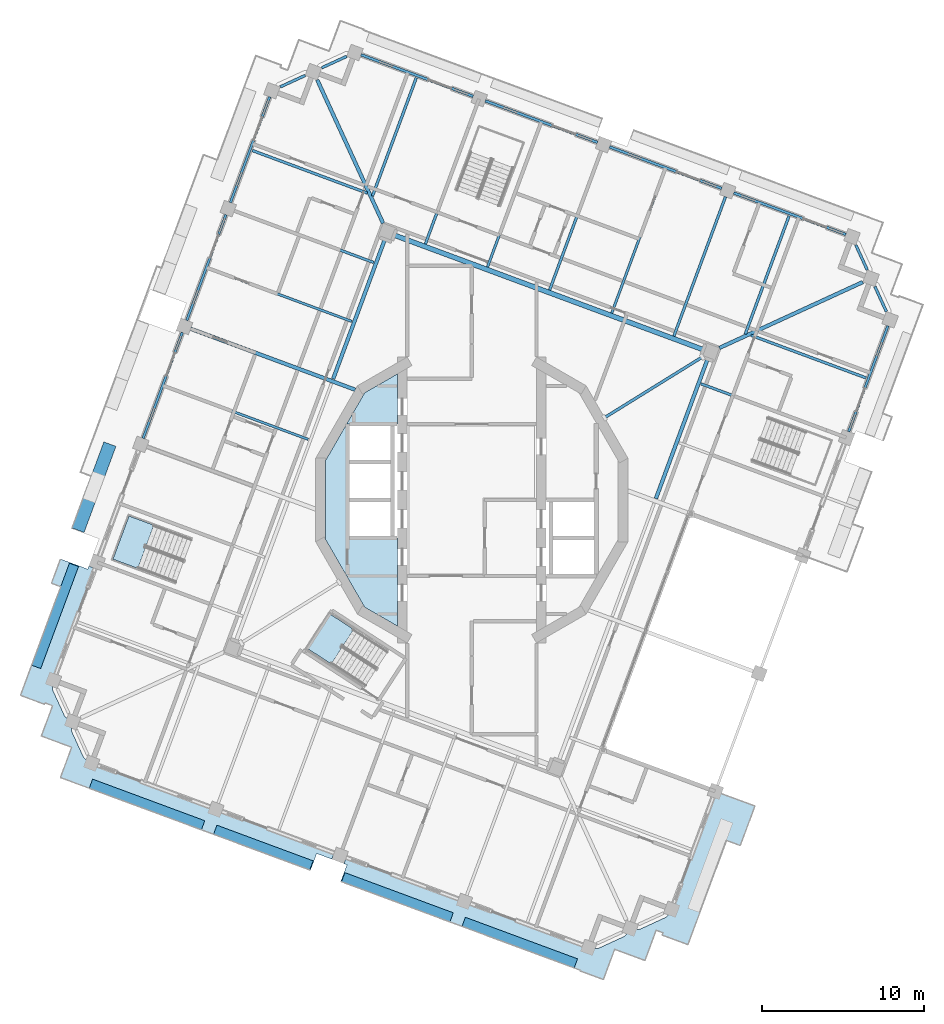
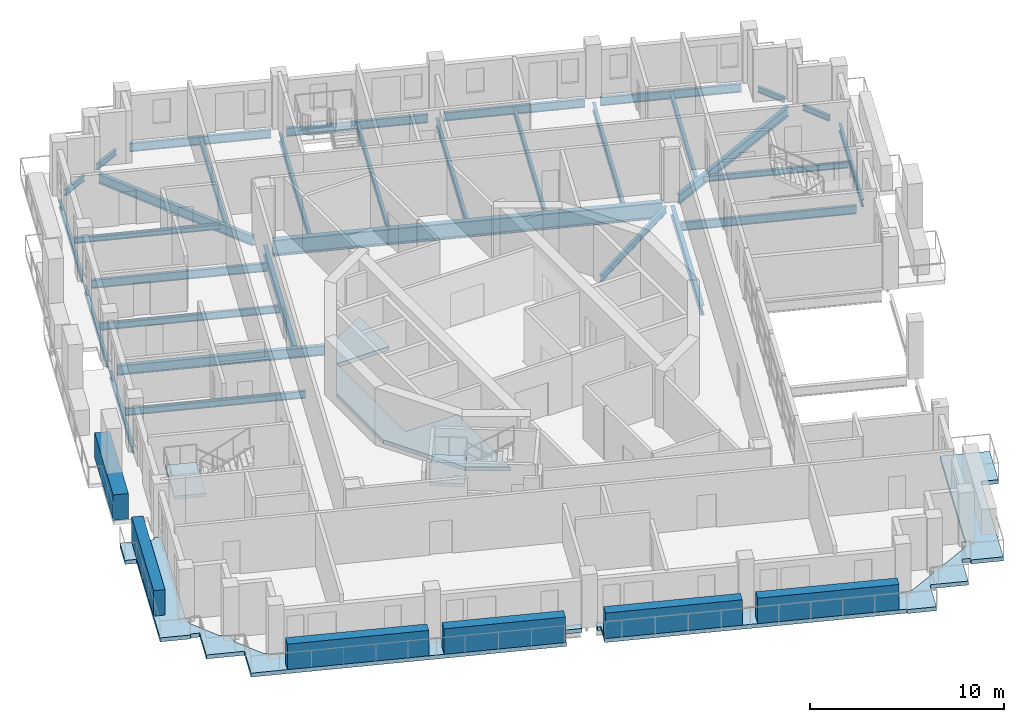
# One storey, part 3 of 19: 32 beams, 6 plates, 5 slabs, 2 elements without a shape of their own.
"""IFC4 building model written with IfcOpenShell, lengths in metres."""

from ifc_helpers import new_model, si_unit, direction, frame, origin, origin_2d, place, context, subcontext, project, spatial, polyline, rectangle, i_section, outline, extrude, material, layer, layer_set, material_profile, profile_set, type_object, element, aggregate, save


model = new_model("IFC4")

# Units and contexts
model_context = context("Model", 3, precision=1e-05, world=origin(), true_north=direction((0.0, 1.0)))
body_context = subcontext(model_context, "Body", "Model", "MODEL_VIEW")
ifc_project = project(units=[si_unit("LENGTHUNIT", "METRE"), si_unit("AREAUNIT", "SQUARE_METRE"), si_unit("VOLUMEUNIT", "CUBIC_METRE"), si_unit("PLANEANGLEUNIT", "RADIAN"), si_unit("MASSUNIT", "GRAM", prefix="KILO")], contexts=[model_context])

# Site, building, storey
site_placement = place(None, origin())
site = spatial("IfcSite", under=ifc_project, at=site_placement, CompositionType="ELEMENT")
building_placement = place(site_placement, origin())
building = spatial("IfcBuilding", under=site, at=building_placement, Name="Cantera Rosa Tower", CompositionType="ELEMENT")
storey_placement = place(building_placement, frame((0.0, 0.0, 334.89990234375)))
storey = spatial("IfcBuildingStorey", under=building, at=storey_placement, Name="L75", CompositionType="ELEMENT", Elevation=334.89990234375)

# Beams
ifc_material_1 = material(Name="Steel ASTM A992 (Fy 345 MPa)", Category="steel")
ifc_material_profile_1 = material_profile(ifc_material_1, i_section(OverallWidth=0.302001953125, OverallDepth=1.010009765625, WebThickness=0.02099609375, FlangeThickness=0.0400390625, FilletRadius=0.030029296875, at=origin_2d()), Name="W1000X350")
ifc_profile_set_1 = profile_set([ifc_material_profile_1], Name="Steel ASTM A992 (Fy 345 MPa)")
beam_type_1 = type_object("IfcBeamType", Name="STEEL BEAM W1000X350", PredefinedType="BEAM", material=ifc_profile_set_1)
beam_1_placement = place(storey_placement, frame((14.324951171875, 9.302001953125, -0.7548828125), z_axis=(-0.937687392162, 0.347480006017, 0.0), x_axis=(-0.347480006017, -0.937687392162, 0.0)))
element("IfcBeam", 1, at=beam_1_placement, inside=storey, type_object=beam_type_1, Name="RB-Z6-07 L75", PredefinedType="BEAM", context=body_context, shape_type="SweptSolid", body=[
    extrude(i_section(OverallWidth=0.302001953125, OverallDepth=1.010009765625, WebThickness=0.02099609375, FlangeThickness=0.0400390625, FilletRadius=0.030029296875, at=origin_2d()), origin(), (0.0, 0.0, 1.0), 20.400146484375),
])
ifc_material_2 = material(Name="Steel ASTM A992 (Fy 345 MPa)", Category="steel")
ifc_material_profile_2 = material_profile(ifc_material_2, i_section(OverallWidth=0.177978515625, OverallDepth=0.406005859375, WebThickness=0.0078125, FlangeThickness=0.0126953125, FilletRadius=0.01025390625, at=origin_2d()), Name="W410X60")
ifc_profile_set_2 = profile_set([ifc_material_profile_2], Name="Steel ASTM A992 (Fy 345 MPa)")
beam_type_2 = type_object("IfcBeamType", Name="STEEL BEAM W410X60", PredefinedType="BEAM", material=ifc_profile_set_2)
beam_2_placement = place(storey_placement, frame((14.262451171875, 8.84521484375, -0.452880859375), z_axis=(-0.849840939707, -0.527039255841, 0.0), x_axis=(0.527039255841, -0.849840939707, 0.0)))
element("IfcBeam", 2, at=beam_2_placement, inside=storey, type_object=beam_type_2, Name="PG-Z6-02 L75", PredefinedType="BEAM", context=body_context, shape_type="SweptSolid", body=[
    extrude(i_section(OverallWidth=0.177978515625, OverallDepth=0.406005859375, WebThickness=0.0078125, FlangeThickness=0.0126953125, FilletRadius=0.01025390625, at=origin_2d()), origin(), (0.0, 0.0, 1.0), 7.118408203125),
])
ifc_material_3 = material(Name="Steel ASTM A992 (Fy 345 MPa)", Category="steel")
ifc_material_profile_3 = material_profile(ifc_material_3, i_section(OverallWidth=0.166015625, OverallDepth=0.528076171875, WebThickness=0.009765625, FlangeThickness=0.013671875, FilletRadius=0.0126953125, at=origin_2d()), Name="W530X74")
ifc_profile_set_3 = profile_set([ifc_material_profile_3], Name="Steel ASTM A992 (Fy 345 MPa)")
beam_type_3 = type_object("IfcBeamType", Name="STEEL BEAM W530X74", PredefinedType="BEAM", material=ifc_profile_set_3)
for number, where, z_axis, x_axis, name in (
    (3, (15.698486328125, 18.764404296875, -0.513916015625), (-0.347476838353, -0.937688566, 0.0), (0.937688566, -0.347476838353, 0.0), "G-Z6-01 L75"),
    (4, (8.009521484375, 21.61376953125, -0.513916015625), (-0.34750017104, -0.937679919337, 0.0), (0.937679919337, -0.34750017104, 0.0), "G-Z6-02 L75"),
    (5, (0.3203125, 24.463134765625, -0.513916015625), (-0.347476838353, -0.937688566, 0.0), (0.937688566, -0.347476838353, 0.0), "G-Z6-03 L75"),
    (6, (-14.69873046875, 17.892333984375, -0.513916015625), (0.937688566, -0.347476838353, 0.0), (0.347476838353, 0.937688566, 0.0), "G-Z6-04 L75"),
    (7, (22.808837890625, 3.9931640625, -0.513916015625), (-0.937688566, 0.347476838353, 0.0), (-0.347476838353, -0.937688566, 0.0), "G-Z6-11 L75"),
):
    element("IfcBeam", number, at=place(storey_placement, frame(where, z_axis=z_axis, x_axis=x_axis)), inside=storey, type_object=beam_type_3, Name=name, PredefinedType="BEAM", context=body_context, shape_type="SweptSolid", body=[
        extrude(i_section(OverallWidth=0.166015625, OverallDepth=0.528076171875, WebThickness=0.009765625, FlangeThickness=0.013671875, FilletRadius=0.0126953125, at=origin_2d()), origin(), (0.0, 0.0, 1.0), 9.199951171875),
    ])
ifc_material_4 = material(Name="Steel ASTM A992 (Fy 345 MPa)", Category="steel")
ifc_material_profile_4 = material_profile(ifc_material_4, i_section(OverallWidth=0.22802734375, OverallDepth=0.60205078125, WebThickness=0.010498046875, FlangeThickness=0.014892578125, FilletRadius=0.0126953125, at=origin_2d()), Name="W610X101")
ifc_profile_set_4 = profile_set([ifc_material_profile_4], Name="Steel ASTM A992 (Fy 345 MPa)")
beam_type_4 = type_object("IfcBeamType", Name="STEEL BEAM W610X101", PredefinedType="BEAM", material=ifc_profile_set_4)
for number, where, z_axis, x_axis, name in (
    (8, (-9.56396484375, 25.992919921875, -0.55078125), (0.417345508131, -0.908747889595, 0.0), (0.908747889595, 0.417345508131, 0.0), "CB-Z6-01 L75"),
    (9, (24.19287109375, 13.483642578125, -0.55078125), (-0.908747889595, -0.417345508131, 0.0), (0.417345508131, -0.908747889595, 0.0), "CB-Z6-04 L75"),
):
    element("IfcBeam", number, at=place(storey_placement, frame(where, z_axis=z_axis, x_axis=x_axis)), inside=storey, type_object=beam_type_4, Name=name, PredefinedType="BEAM", context=body_context, shape_type="SweptSolid", body=[
        extrude(i_section(OverallWidth=0.22802734375, OverallDepth=0.60205078125, WebThickness=0.010498046875, FlangeThickness=0.014892578125, FilletRadius=0.0126953125, at=origin_2d()), origin(), (0.0, 0.0, 1.0), 9.758056640625),
    ])
for number, where, z_axis, x_axis, name in (
    (10, (-8.58251953125, 7.489013671875, -0.55078125), (0.347474937304, 0.937689270465, 0.0), (-0.937689270465, 0.347474937304, 0.0), "RB-Z6-03 L75"),
    (11, (11.39013671875, 0.087646484375, -0.55078125), (0.347498244979, 0.937680633125, 0.0), (-0.937680633125, 0.347498244979, 0.0), "RB-Z6-06 L75"),
):
    element("IfcBeam", number, at=place(storey_placement, frame(where, z_axis=z_axis, x_axis=x_axis)), inside=storey, type_object=beam_type_4, Name=name, PredefinedType="BEAM", context=body_context, shape_type="SweptSolid", body=[
        extrude(i_section(OverallWidth=0.22802734375, OverallDepth=0.60205078125, WebThickness=0.010498046875, FlangeThickness=0.014892578125, FilletRadius=0.0126953125, at=origin_2d()), origin(), (0.0, 0.0, 1.0), 9.2099609375),
    ])
ifc_material_5 = material(Name="Steel ASTM A992 (Fy 345 MPa)", Category="steel")
ifc_material_profile_5 = material_profile(ifc_material_5, i_section(OverallWidth=0.22900390625, OverallDepth=0.612060546875, WebThickness=0.011962890625, FlangeThickness=0.01953125, FilletRadius=0.0126953125, at=origin_2d()), Name="W610X125")
ifc_profile_set_5 = profile_set([ifc_material_profile_5], Name="Steel ASTM A992 (Fy 345 MPa)")
beam_type_5 = type_object("IfcBeamType", Name="STEEL BEAM W610X125", PredefinedType="BEAM", material=ifc_profile_set_5)
beam_3_placement = place(storey_placement, frame((-17.402099609375, 10.59716796875, -0.555908203125), z_axis=(0.937686127687, -0.347483418229, 0.0), x_axis=(0.347483418229, 0.937686127687, 0.0)))
element("IfcBeam", 12, at=beam_3_placement, inside=storey, type_object=beam_type_5, Name="G-Z6-05 L75", PredefinedType="BEAM", context=body_context, shape_type="SweptSolid", body=[
    extrude(i_section(OverallWidth=0.22900390625, OverallDepth=0.612060546875, WebThickness=0.011962890625, FlangeThickness=0.01953125, FilletRadius=0.0126953125, at=origin_2d()), origin(), (0.0, 0.0, 1.0), 10.8642578125),
])
ifc_material_6 = material(Name="Steel ASTM A992 (Fy 345 MPa)", Category="steel")
ifc_material_profile_6 = material_profile(ifc_material_6, i_section(OverallWidth=0.1708984375, OverallDepth=0.35595703125, WebThickness=0.00732421875, FlangeThickness=0.01171875, FilletRadius=0.010009765625, at=origin_2d()), Name="W360X51")
ifc_profile_set_6 = profile_set([ifc_material_profile_6], Name="Steel ASTM A992 (Fy 345 MPa)")
beam_type_6 = type_object("IfcBeamType", Name="STEEL JOIST W360X51", PredefinedType="JOIST", material=ifc_profile_set_6)
for number, where, z_axis, x_axis, name in (
    (13, (19.6298828125, 17.573974609375, -0.427978515625), (-0.347491728417, -0.937683048093, 0.0), (0.937683048093, -0.347491728417, 0.0), "B-Z6-01 L75"),
    (14, (-3.437255859375, 26.1220703125, -0.427978515625), (-0.347491728417, -0.937683048093, 0.0), (0.937683048093, -0.347491728417, 0.0), "B-Z6-04 L75"),
):
    element("IfcBeam", number, at=place(storey_placement, frame(where, z_axis=z_axis, x_axis=x_axis)), inside=storey, type_object=beam_type_6, Name=name, PredefinedType="JOIST", context=body_context, shape_type="SweptSolid", body=[
        extrude(i_section(OverallWidth=0.1708984375, OverallDepth=0.35595703125, WebThickness=0.00732421875, FlangeThickness=0.01171875, FilletRadius=0.010009765625, at=origin_2d()), origin(), (0.0, 0.0, 1.0), 7.800048828125),
    ])
beam_4_placement = place(storey_placement, frame((-13.581298828125, 21.626953125, -0.427978515625), z_axis=(0.93768239316, -0.347493495705, 0.0), x_axis=(0.347493495705, 0.93768239316, 0.0)))
element("IfcBeam", 15, at=beam_4_placement, inside=storey, type_object=beam_type_6, Name="B-Z6-05 L75", PredefinedType="JOIST", context=body_context, shape_type="SweptSolid", body=[
    extrude(i_section(OverallWidth=0.1708984375, OverallDepth=0.35595703125, WebThickness=0.00732421875, FlangeThickness=0.01171875, FilletRadius=0.010009765625, at=origin_2d()), origin(), (0.0, 0.0, 1.0), 7.58984375),
])
beam_5_placement = place(storey_placement, frame((24.39501953125, 7.553955078125, -0.427978515625), z_axis=(-0.937686277131, 0.347483014951, 0.0), x_axis=(-0.347483014951, -0.937686277131, 0.0)))
element("IfcBeam", 16, at=beam_5_placement, inside=storey, type_object=beam_type_6, Name="B-Z6-14 L75", PredefinedType="JOIST", context=body_context, shape_type="SweptSolid", body=[
    extrude(i_section(OverallWidth=0.1708984375, OverallDepth=0.35595703125, WebThickness=0.00732421875, FlangeThickness=0.01171875, FilletRadius=0.010009765625, at=origin_2d()), origin(), (0.0, 0.0, 1.0), 7.590087890625),
])
ifc_material_7 = material(Name="Steel ASTM A992 (Fy 345 MPa)", Category="steel")
ifc_material_profile_7 = material_profile(ifc_material_7, i_section(OverallWidth=0.154052734375, OverallDepth=0.4599609375, WebThickness=0.009033203125, FlangeThickness=0.015380859375, FilletRadius=0.01025390625, at=origin_2d()), Name="W460X68")
ifc_profile_set_7 = profile_set([ifc_material_profile_7], Name="Steel ASTM A992 (Fy 345 MPa)")
beam_type_7 = type_object("IfcBeamType", Name="STEEL JOIST W460X68", PredefinedType="JOIST", material=ifc_profile_set_7)
for number, where, z_axis, x_axis, name in (
    (17, (11.94091796875, 20.42333984375, -0.47998046875), (-0.347482637031, -0.937686417179, 0.0), (0.937686417179, -0.347482637031, 0.0), "B-Z6-02 L75"),
    (18, (4.251708984375, 23.272705078125, -0.47998046875), (-0.347482637031, -0.937686417179, 0.0), (0.937686417179, -0.347482637031, 0.0), "B-Z6-03 L75"),
    (19, (-16.28466796875, 14.331787109375, -0.47998046875), (0.937686417179, -0.347482637031, 0.0), (0.347482637031, 0.937686417179, 0.0), "B-Z6-06 L75"),
):
    element("IfcBeam", number, at=place(storey_placement, frame(where, z_axis=z_axis, x_axis=x_axis)), inside=storey, type_object=beam_type_7, Name=name, PredefinedType="JOIST", context=body_context, shape_type="SweptSolid", body=[
        extrude(i_section(OverallWidth=0.154052734375, OverallDepth=0.4599609375, WebThickness=0.009033203125, FlangeThickness=0.015380859375, FilletRadius=0.01025390625, at=origin_2d()), origin(), (0.0, 0.0, 1.0), 9.449951171875),
    ])
beam_6_placement = place(storey_placement, frame((-18.98828125, 7.036376953125, -0.47998046875), z_axis=(0.937689536508, -0.347474219364, 0.0), x_axis=(0.347474219364, 0.937689536508, 0.0)))
element("IfcBeam", 20, at=beam_6_placement, inside=storey, type_object=beam_type_7, Name="B-Z6-07 L75", PredefinedType="JOIST", context=body_context, shape_type="SweptSolid", body=[
    extrude(i_section(OverallWidth=0.154052734375, OverallDepth=0.4599609375, WebThickness=0.009033203125, FlangeThickness=0.015380859375, FilletRadius=0.01025390625, at=origin_2d()), origin(), (0.0, 0.0, 1.0), 9.4501953125),
])
ifc_material_8 = material(Name="Steel ASTM A992 (Fy 345 MPa)", Category="steel")
ifc_material_profile_8 = material_profile(ifc_material_8, i_section(OverallWidth=0.1708984375, OverallDepth=0.35595703125, WebThickness=0.00732421875, FlangeThickness=0.01171875, FilletRadius=0.010009765625, at=origin_2d()), Name="W360X51")
ifc_profile_set_8 = profile_set([ifc_material_profile_8], Name="Steel ASTM A992 (Fy 345 MPa)")
beam_type_8 = type_object("IfcBeamType", Name="STEEL SPANDREL BEAM W360X51", PredefinedType="SPANDREL", material=ifc_profile_set_8)
for number, where, z_axis, x_axis, name in (
    (21, (-7.74365234375, 27.451416015625, -0.427978515625), (-0.908753529973, -0.417333226286, 0.0), (0.417333226286, -0.908753529973, 0.0), "EB-Z6-05 L75"),
    (22, (-10.31396484375, 26.27099609375, -0.427978515625), (-0.908753529973, -0.417333226286, 0.0), (0.417333226286, -0.908753529973, 0.0), "EB-Z6-06 L75"),
):
    element("IfcBeam", number, at=place(storey_placement, frame(where, z_axis=z_axis, x_axis=x_axis)), inside=storey, type_object=beam_type_8, Name=name, PredefinedType="SPANDREL", context=body_context, shape_type="SweptSolid", body=[
        extrude(i_section(OverallWidth=0.1708984375, OverallDepth=0.35595703125, WebThickness=0.00732421875, FlangeThickness=0.01171875, FilletRadius=0.010009765625, at=origin_2d()), origin(), (0.0, 0.0, 1.0), 1.697021484375),
    ])
for number, where, z_axis, x_axis, name in (
    (23, (25.651123046875, 11.66357421875, -0.427978515625), (-0.417268968709, 0.908783036677, 0.0), (-0.908783036677, -0.417268968709, 0.0), "EB-Z6-25 L75"),
    (24, (24.470947265625, 14.23388671875, -0.427978515625), (-0.417387791404, 0.908728469669, 0.0), (-0.908728469669, -0.417387791404, 0.0), "EB-Z6-26 L75"),
):
    element("IfcBeam", number, at=place(storey_placement, frame(where, z_axis=z_axis, x_axis=x_axis)), inside=storey, type_object=beam_type_8, Name=name, PredefinedType="SPANDREL", context=body_context, shape_type="SweptSolid", body=[
        extrude(i_section(OverallWidth=0.1708984375, OverallDepth=0.35595703125, WebThickness=0.00732421875, FlangeThickness=0.01171875, FilletRadius=0.010009765625, at=origin_2d()), origin(), (0.0, 0.0, 1.0), 1.69677734375),
    ])
ifc_material_9 = material(Name="Steel ASTM A992 (Fy 345 MPa)", Category="steel")
ifc_material_profile_9 = material_profile(ifc_material_9, i_section(OverallWidth=0.154052734375, OverallDepth=0.4599609375, WebThickness=0.009033203125, FlangeThickness=0.015380859375, FilletRadius=0.01025390625, at=origin_2d()), Name="W460X68")
ifc_profile_set_9 = profile_set([ifc_material_profile_9], Name="Steel ASTM A992 (Fy 345 MPa)")
beam_type_9 = type_object("IfcBeamType", Name="STEEL SPANDREL BEAM W460X68", PredefinedType="SPANDREL", material=ifc_profile_set_9)
beam_7_placement = place(storey_placement, frame((-12.50927734375, 24.95166015625, -0.47998046875), z_axis=(-0.347490919506, -0.937683347864, 0.0), x_axis=(0.937683347864, -0.347490919506, 0.0)))
element("IfcBeam", 25, at=beam_7_placement, inside=storey, type_object=beam_type_9, Name="EB-Z6-07 L75", PredefinedType="SPANDREL", context=body_context, shape_type="SweptSolid", body=[
    extrude(i_section(OverallWidth=0.154052734375, OverallDepth=0.4599609375, WebThickness=0.009033203125, FlangeThickness=0.015380859375, FilletRadius=0.01025390625, at=origin_2d()), origin(), (0.0, 0.0, 1.0), 6.980224609375),
])
for number, where, z_axis, x_axis, name in (
    (26, (-15.212646484375, 17.65625, -0.47998046875), (-0.347502316452, -0.937679124253, 0.0), (0.937679124253, -0.347502316452, 0.0), "EB-Z6-08 L75"),
    (27, (-17.916015625, 10.361083984375, -0.47998046875), (-0.347502316452, -0.937679124253, 0.0), (0.937679124253, -0.347502316452, 0.0), "EB-Z6-09 L75"),
    (28, (23.322998046875, 4.229248046875, -0.47998046875), (0.347460165909, 0.937694744097, 0.0), (-0.937694744097, 0.347460165909, 0.0), "EB-Z6-24 L75"),
):
    element("IfcBeam", number, at=place(storey_placement, frame(where, z_axis=z_axis, x_axis=x_axis)), inside=storey, type_object=beam_type_9, Name=name, PredefinedType="SPANDREL", context=body_context, shape_type="SweptSolid", body=[
        extrude(i_section(OverallWidth=0.154052734375, OverallDepth=0.4599609375, WebThickness=0.009033203125, FlangeThickness=0.015380859375, FilletRadius=0.01025390625, at=origin_2d()), origin(), (0.0, 0.0, 1.0), 6.97998046875),
    ])
ifc_material_10 = material(Name="Steel ASTM A992 (Fy 345 MPa)", Category="steel")
ifc_material_profile_10 = material_profile(ifc_material_10, i_section(OverallWidth=0.166015625, OverallDepth=0.528076171875, WebThickness=0.009765625, FlangeThickness=0.013671875, FilletRadius=0.0126953125, at=origin_2d()), Name="W530X74")
ifc_profile_set_10 = profile_set([ifc_material_profile_10], Name="Steel ASTM A992 (Fy 345 MPa)")
beam_type_10 = type_object("IfcBeamType", Name="STEEL SPANDREL BEAM W530X74", PredefinedType="SPANDREL", material=ifc_profile_set_10)
beam_8_placement = place(storey_placement, frame((23.1513671875, 16.428955078125, -0.513916015625), z_axis=(-0.937676706507, 0.347508840281, 0.0), x_axis=(-0.347508840281, -0.937676706507, 0.0)))
element("IfcBeam", 29, at=beam_8_placement, inside=storey, type_object=beam_type_10, Name="EB-Z6-01 L75", PredefinedType="SPANDREL", context=body_context, shape_type="SweptSolid", body=[
    extrude(i_section(OverallWidth=0.166015625, OverallDepth=0.528076171875, WebThickness=0.009765625, FlangeThickness=0.013671875, FilletRadius=0.0126953125, at=origin_2d()), origin(), (0.0, 0.0, 1.0), 7.39990234375),
])
for number, where, z_axis, x_axis, name in (
    (30, (15.46240234375, 19.2783203125, -0.513916015625), (-0.937680690562, 0.34749808999, 0.0), (-0.34749808999, -0.937680690562, 0.0), "EB-Z6-02 L75"),
    (31, (7.7734375, 22.127685546875, -0.513916015625), (-0.937680690562, 0.34749808999, 0.0), (-0.34749808999, -0.937680690562, 0.0), "EB-Z6-03 L75"),
):
    element("IfcBeam", number, at=place(storey_placement, frame(where, z_axis=z_axis, x_axis=x_axis)), inside=storey, type_object=beam_type_10, Name=name, PredefinedType="SPANDREL", context=body_context, shape_type="SweptSolid", body=[
        extrude(i_section(OverallWidth=0.166015625, OverallDepth=0.528076171875, WebThickness=0.009765625, FlangeThickness=0.013671875, FilletRadius=0.0126953125, at=origin_2d()), origin(), (0.0, 0.0, 1.0), 7.400146484375),
    ])
beam_9_placement = place(storey_placement, frame((0.084228515625, 24.97705078125, -0.513916015625), z_axis=(-0.937687456783, 0.347479831633, 0.0), x_axis=(-0.347479831633, -0.937687456783, 0.0)))
element("IfcBeam", 32, at=beam_9_placement, inside=storey, type_object=beam_type_10, Name="EB-Z6-04 L75", PredefinedType="SPANDREL", context=body_context, shape_type="SweptSolid", body=[
    extrude(i_section(OverallWidth=0.166015625, OverallDepth=0.528076171875, WebThickness=0.009765625, FlangeThickness=0.013671875, FilletRadius=0.0126953125, at=origin_2d()), origin(), (0.0, 0.0, 1.0), 7.39990234375),
])

# Slabs
ifc_material_11 = material(Name="Concrete C35/45", Category="concrete")
ifc_layer_1 = layer(ifc_material_11, 0.25)
ifc_layer_set_1 = layer_set([ifc_layer_1], Name="COMPOSITE FLOOR SLAB 250 C35/45")
slab_type_1 = type_object("IfcSlabType", Name="COMPOSITE FLOOR SLAB 250 C35/45", PredefinedType="FLOOR", material=ifc_layer_set_1)
slab_1_placement = place(storey_placement, frame((0.0, 0.0, -0.25)))
element("IfcSlab", 33, at=slab_1_placement, inside=storey, type_object=slab_type_1, Name="SLAB L75 floor 1", PredefinedType="FLOOR", context=body_context, shape_type="SweptSolid", body=[
    extrude(outline(polyline([(-7.699951171875, -2.35009765625), (-4.60009765625, -2.35009765625), (-4.60009765625, -7.804931640625), (-6.6318359375, -6.6318359375), (-9.059326171875, -2.427490234375), (-9.059326171875, 2.427490234375), (-6.6318359375, 6.6318359375), (-4.60009765625, 7.804931640625), (-4.60009765625, 4.699951171875), (-7.699951171875, 4.699951171875), (-7.699951171875, 2.35009765625), (-7.699951171875, 0.0), (-7.699951171875, -2.35009765625)])), origin(), (0.0, 0.0, 1.0), 0.25),
])
ifc_material_12 = material(Name="Concrete C35/45", Category="concrete")
ifc_layer_2 = layer(ifc_material_12, 0.25)
ifc_layer_set_2 = layer_set([ifc_layer_2], Name="LOGGIA SLAB 250 C35/45")
slab_type_2 = type_object("IfcSlabType", Name="LOGGIA SLAB 250 C35/45", PredefinedType="FLOOR", material=ifc_layer_set_2)
slab_2_placement = place(storey_placement, frame((0.0, 0.0, -0.25)))
element("IfcSlab", 34, at=slab_2_placement, inside=storey, type_object=slab_type_2, Name="LOGGIA SLAB L75 1", PredefinedType="FLOOR", context=body_context, shape_type="SweptSolid", body=[
    extrude(outline(polyline([(-17.76513671875, -20.024658203125), (-24.047607421875, -17.696533203125), (-25.454345703125, -17.17529296875), (-24.93310546875, -15.768798828125), (-24.75927734375, -15.300048828125), (-25.22802734375, -15.126220703125), (-26.634765625, -14.60498046875), (-26.11328125, -13.198486328125), (-25.939697265625, -12.729736328125), (-26.408447265625, -12.555908203125), (-26.439697265625, -12.639892578125), (-27.930419921875, -12.087646484375), (-25.439208984375, -5.364990234375), (-26.01171875, -5.15283203125), (-25.45556640625, -3.652099609375), (-23.767578125, -4.27783203125), (-23.697998046875, -4.09033203125), (-23.322998046875, -4.229248046875), (-25.88720703125, -11.1494140625), (-25.947509765625, -11.6162109375), (-25.95068359375, -11.6455078125), (-25.950927734375, -11.6748046875), (-25.948486328125, -11.7041015625), (-25.943115234375, -11.733154296875), (-25.934814453125, -11.76123046875), (-25.923828125, -11.788818359375), (-25.215576171875, -13.330810546875), (-25.201904296875, -13.35693359375), (-25.18603515625, -13.381591796875), (-25.16748046875, -13.404541015625), (-25.14697265625, -13.42578125), (-25.12451171875, -13.444580078125), (-25.10009765625, -13.461181640625), (-24.706787109375, -13.7197265625), (-24.76708984375, -14.186279296875), (-24.770263671875, -14.2158203125), (-24.7705078125, -14.2451171875), (-24.76806640625, -14.2744140625), (-24.7626953125, -14.303466796875), (-24.75439453125, -14.331787109375), (-24.743408203125, -14.35888671875), (-24.03515625, -15.901123046875), (-24.021484375, -15.92724609375), (-24.005615234375, -15.951904296875), (-23.987060546875, -15.974853515625), (-23.966552734375, -15.99609375), (-23.944091796875, -16.014892578125), (-23.919677734375, -16.031494140625), (-23.526611328125, -16.2900390625), (-8.5234375, -21.849853515625), (-8.66259765625, -22.224853515625), (-9.60009765625, -21.87744140625), (-9.982421875, -22.90869140625), (-10.076171875, -22.8740234375), (-14.9521484375, -21.067138671875), (-17.76513671875, -20.024658203125)])), origin(), (0.0, 0.0, 1.0), 0.25),
])
slab_3_placement = place(storey_placement, frame((0.0, 0.0, -0.25)))
element("IfcSlab", 35, at=slab_3_placement, inside=storey, type_object=slab_type_2, Name="LOGGIA SLAB L75 3", PredefinedType="FLOOR", context=body_context, shape_type="SweptSolid", body=[
    extrude(outline(polyline([(11.779541015625, -26.920654296875), (11.833251953125, -26.776123046875), (11.4072265625, -26.618408203125), (11.24951171875, -27.044189453125), (10.71240234375, -28.49365234375), (9.2626953125, -27.95654296875), (8.8369140625, -27.798583984375), (8.14208984375, -29.674072265625), (6.6923828125, -29.136962890625), (6.70849609375, -29.093994140625), (0.42578125, -26.765869140625), (-2.38720703125, -25.723388671875), (-7.26318359375, -23.91650390625), (-8.10693359375, -23.603759765625), (-7.724853515625, -22.572265625), (-7.912353515625, -22.502685546875), (-7.7734375, -22.127685546875), (6.25048828125, -27.32470703125), (7.2294921875, -27.6875), (7.6962890625, -27.74755859375), (7.7255859375, -27.750732421875), (7.7548828125, -27.751220703125), (7.784423828125, -27.74853515625), (7.813232421875, -27.7431640625), (7.841552734375, -27.735107421875), (7.868896484375, -27.72412109375), (9.4111328125, -27.015625), (9.437255859375, -27.002197265625), (9.4619140625, -26.986083984375), (9.48486328125, -26.9677734375), (9.505859375, -26.947021484375), (9.52490234375, -26.924560546875), (9.54150390625, -26.900146484375), (9.800048828125, -26.507080078125), (10.2666015625, -26.567138671875), (10.2958984375, -26.5703125), (10.325439453125, -26.57080078125), (10.354736328125, -26.568115234375), (10.383544921875, -26.562744140625), (10.411865234375, -26.554443359375), (10.439208984375, -26.543701171875), (11.9814453125, -25.835205078125), (12.007568359375, -25.82177734375), (12.0322265625, -25.8056640625), (12.05517578125, -25.787353515625), (12.076171875, -25.7666015625), (12.09521484375, -25.744140625), (12.11181640625, -25.7197265625), (12.370361328125, -25.32666015625), (12.733154296875, -24.347412109375), (15.07373046875, -18.031494140625), (17.516845703125, -18.936767578125), (16.611328125, -21.3798828125), (15.762451171875, -21.065185546875), (13.373779296875, -27.511474609375), (11.779541015625, -26.920654296875)])), origin(), (0.0, 0.0, 1.0), 0.25),
])

# Plates
ifc_material_13 = material(Name="Cantera stone planter with soil", Category="masonry")
plate_type_1 = type_object("IfcPlateType", Name="PLANTER 600", PredefinedType="USERDEFINED", material=ifc_material_13)
plate_1_placement = place(storey_placement, frame((-25.788330078125, -7.1708984375, 0.0), z_axis=(0.0, 0.0, 1.0), x_axis=(-0.347481234489, -0.937686936924, 0.0)))
element("IfcPlate", 36, at=plate_1_placement, inside=storey, type_object=plate_type_1, Name="PLANTER L75-09", ObjectType="PLANTER", PredefinedType="USERDEFINED", context=body_context, shape_type="SweptSolid", body=[
    extrude(rectangle(XDim=6.72998046875, YDim=0.60009765625, at=origin_2d()), origin(), (0.0, 0.0, 1.0), 1.60009765625),
])
plate_2_placement = place(storey_placement, frame((-20.098876953125, -18.83984375, 0.0), z_axis=(0.0, 0.0, 1.0), x_axis=(0.937686936924, -0.347481234489, 0.0)))
element("IfcPlate", 37, at=plate_2_placement, inside=storey, type_object=plate_type_1, Name="PLANTER L75-10", ObjectType="PLANTER", PredefinedType="USERDEFINED", context=body_context, shape_type="SweptSolid", body=[
    extrude(rectangle(XDim=7.39990234375, YDim=0.60009765625, at=origin_2d()), origin(), (0.0, 0.0, 1.0), 1.60009765625),
])
plate_3_placement = place(storey_placement, frame((-12.902099609375, -21.5068359375, 0.0), z_axis=(0.0, 0.0, 1.0), x_axis=(0.937686936924, -0.347481234489, 0.0)))
element("IfcPlate", 38, at=plate_3_placement, inside=storey, type_object=plate_type_1, Name="PLANTER L75-11", ObjectType="PLANTER", PredefinedType="USERDEFINED", context=body_context, shape_type="SweptSolid", body=[
    extrude(rectangle(XDim=6.35009765625, YDim=0.60009765625, at=origin_2d()), origin(), (0.0, 0.0, 1.0), 1.60009765625),
])
plate_4_placement = place(storey_placement, frame((-4.603759765625, -24.58203125, 0.0), z_axis=(0.0, 0.0, 1.0), x_axis=(0.937686936924, -0.347481234489, 0.0)))
element("IfcPlate", 39, at=plate_4_placement, inside=storey, type_object=plate_type_1, Name="PLANTER L75-12", ObjectType="PLANTER", PredefinedType="USERDEFINED", context=body_context, shape_type="SweptSolid", body=[
    extrude(rectangle(XDim=7.14990234375, YDim=0.60009765625, at=origin_2d()), origin(), (0.0, 0.0, 1.0), 1.60009765625),
])
plate_5_placement = place(storey_placement, frame((2.968017578125, -27.387939453125, 0.0), z_axis=(0.0, 0.0, 1.0), x_axis=(0.937686936924, -0.347481234489, 0.0)))
element("IfcPlate", 40, at=plate_5_placement, inside=storey, type_object=plate_type_1, Name="PLANTER L75-13", ObjectType="PLANTER", PredefinedType="USERDEFINED", context=body_context, shape_type="SweptSolid", body=[
    extrude(rectangle(XDim=7.39990234375, YDim=0.60009765625, at=origin_2d()), origin(), (0.0, 0.0, 1.0), 1.60009765625),
])
ifc_material_14 = material(Name="Cantera stone planter with soil", Category="masonry")
plate_type_2 = type_object("IfcPlateType", Name="PLANTER 800", PredefinedType="USERDEFINED", material=ifc_material_14)
plate_6_placement = place(storey_placement, frame((-23.38134765625, 0.7939453125, 0.0), z_axis=(0.0, 0.0, 1.0), x_axis=(-0.347481234489, -0.937686936924, 0.0)))
element("IfcPlate", 41, at=plate_6_placement, inside=storey, type_object=plate_type_2, Name="PLANTER L75-08", ObjectType="PLANTER", PredefinedType="USERDEFINED", context=body_context, shape_type="SweptSolid", body=[
    extrude(rectangle(XDim=5.679931640625, YDim=0.800048828125, at=origin_2d()), origin(), (0.0, 0.0, 1.0), 1.60009765625),
])

# Stair, slab
ifc_material_15 = material(Name="Concrete C35/45", Category="concrete")
stair_type_1 = type_object("IfcStairType", Name="EXIT STAIR 1350 DOGLEG", PredefinedType="HALF_TURN_STAIR", material=ifc_material_15)
stair_1_placement = place(storey_placement, origin())
stair_1 = element("IfcStair", 42, at=stair_1_placement, inside=storey, type_object=stair_type_1, Name="L75 ST-63", PredefinedType="HALF_TURN_STAIR")
ifc_material_16 = material(Name="Concrete C35/45", Category="concrete")
ifc_layer_3 = layer(ifc_material_16, 0.199951171875)
ifc_layer_set_3 = layer_set([ifc_layer_3], Name="STAIR LANDING 200")
slab_type_3 = type_object("IfcSlabType", Name="STAIR LANDING 200", PredefinedType="LANDING", material=ifc_layer_set_3)
slab_4_placement = place(storey_placement, frame((0.0, 0.0, 1.60009765625)))
slab_4 = element("IfcSlab", 43, at=slab_4_placement, type_object=slab_type_3, Name="ST-63 landing 1", PredefinedType="LANDING", context=body_context, shape_type="SweptSolid", body=[
    extrude(outline(polyline([(-19.67626953125, -1.56005859375), (-21.2158203125, -0.989501953125), (-22.206298828125, -3.661865234375), (-20.66650390625, -4.232421875), (-19.67626953125, -1.56005859375)])), origin(), (0.0, 0.0, 1.0), 0.199951171875),
])
aggregate(stair_1, [slab_4])

ifc_material_17 = material(Name="Concrete C35/45", Category="concrete")
stair_type_2 = type_object("IfcStairType", Name="EXIT STAIR 1200 DOGLEG", PredefinedType="HALF_TURN_STAIR", material=ifc_material_17)
stair_2_placement = place(storey_placement, origin())
stair_2 = element("IfcStair", 44, at=stair_2_placement, inside=storey, type_object=stair_type_2, Name="L75 ST-64", PredefinedType="HALF_TURN_STAIR")
slab_5_placement = place(storey_placement, frame((0.0, 0.0, 1.60009765625)))
slab_5 = element("IfcSlab", 45, at=slab_5_placement, type_object=slab_type_3, Name="ST-64 landing 1", PredefinedType="LANDING", context=body_context, shape_type="SweptSolid", body=[
    extrude(outline(polyline([(-7.30908203125, -8.009033203125), (-8.81201171875, -7.032958984375), (-10.20068359375, -9.171630859375), (-8.69775390625, -10.1474609375), (-7.30908203125, -8.009033203125)])), origin(), (0.0, 0.0, 1.0), 0.199951171875),
])
aggregate(stair_2, [slab_5])

save(model, "model.ifc")
